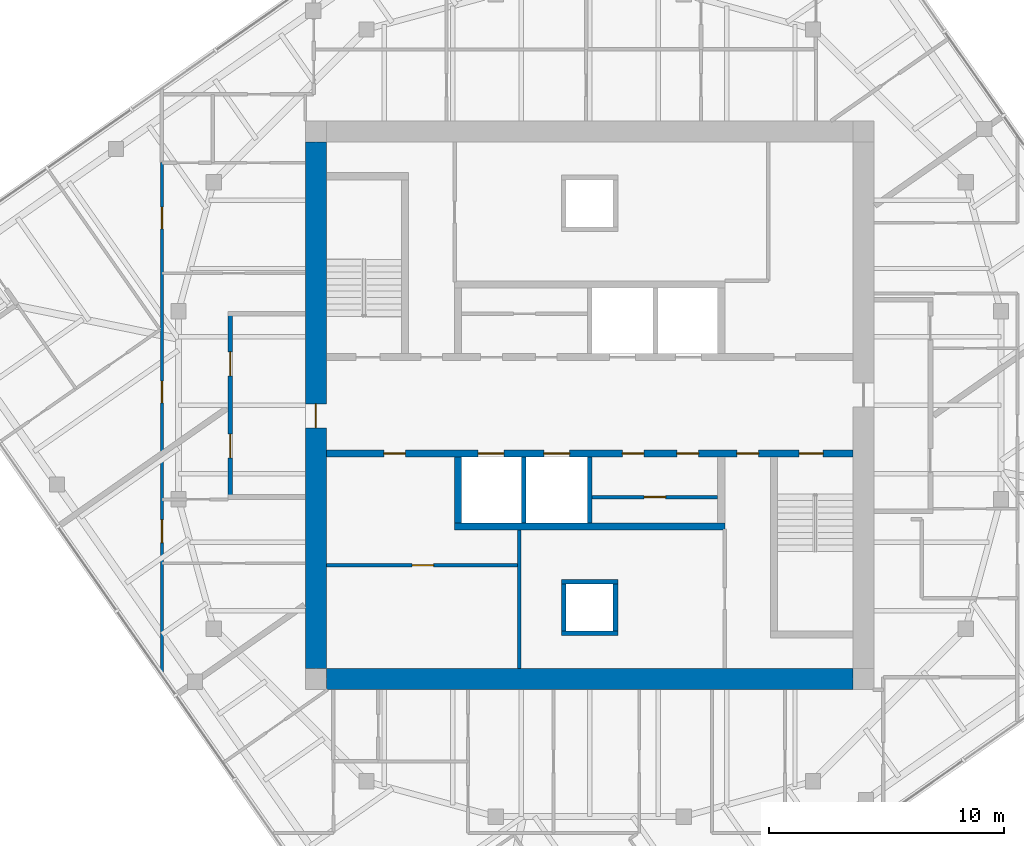
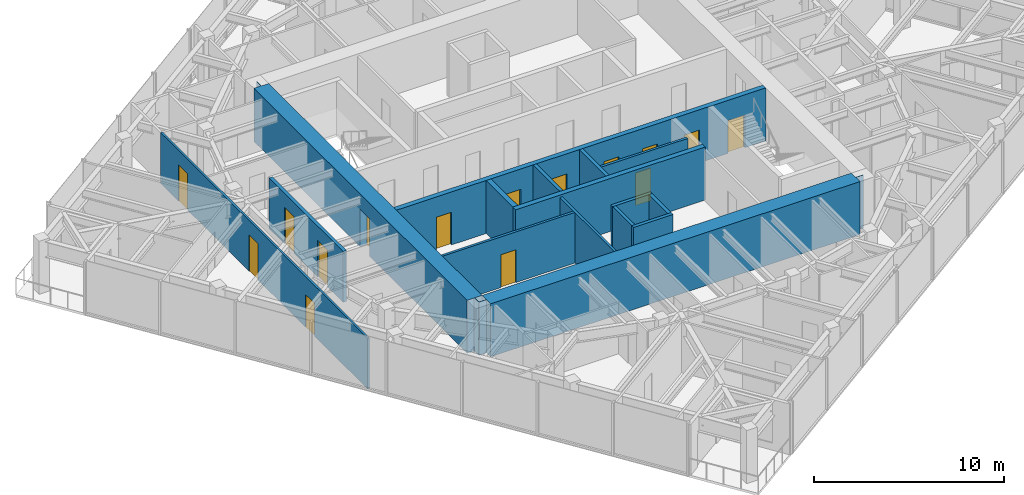
# One storey, part 8 of 13: 16 walls, 15 doors, 15 openings.
"""IFC4 building model written with IfcOpenShell, lengths in metres."""

import ifcopenshell
import ifcopenshell.guid

model = None  # the IFC model being written
_history = None  # IfcOwnerHistory: only IFC2X3 demands one
_inside = {}  # id of a spatial element -> (the spatial element, [elements in it])
_under = {}  # id of a project, library or spatial element -> (it, [spatial elements below it])
_declared = {}  # id of a project -> (the project, [libraries it declares])
_typed = {}  # id of a type object -> (the type object, [elements of that type])
_made_of = {}  # id of a material, layer set ... -> (it, [elements and type objects made of it])


def new_model(schema):
    """Start an empty IFC model of exactly this schema.

    Asked for "IFC4X3", IfcOpenShell would pick the latest addendum, in which some entities
    have other attributes; the version numbers below select the first issue.
    IFC2X3 requires an IfcOwnerHistory on every rooted entity: one is made here for all.
    """
    global model, _history
    if schema == "IFC4X3":
        model = ifcopenshell.file(schema_version=(4, 3, 0, 0))
    else:
        model = ifcopenshell.file(schema=schema)
    _inside.clear()
    _under.clear()
    _declared.clear()
    _typed.clear()
    _made_of.clear()
    _history = None
    if model.schema == "IFC2X3":
        org = make("IfcOrganization", Name="unknown")
        user = make(
            "IfcPersonAndOrganization",
            ThePerson=make("IfcPerson", FamilyName="unknown"),
            TheOrganization=org,
        )
        app = make(
            "IfcApplication",
            ApplicationDeveloper=org,
            Version="unknown",
            ApplicationFullName="unknown",
            ApplicationIdentifier="unknown",
        )
        _history = make(
            "IfcOwnerHistory",
            OwningUser=user,
            OwningApplication=app,
            ChangeAction="ADDED",
            CreationDate=0,
        )
    return model


def make(cls, **values):
    """One entity of the class cls with the attributes given. An attribute that is None is left unset."""
    return model.create_entity(
        cls, **{name: value for name, value in values.items() if value is not None}
    )


def rooted(cls, **values):
    """An entity with a GlobalId (a new one), such as an element, a storey or a relation."""
    return make(cls, GlobalId=ifcopenshell.guid.new(), OwnerHistory=_history, **values)


def si_unit(unit_type, name, prefix=None):
    """IfcSIUnit, for example si_unit("LENGTHUNIT", "METRE", prefix="MILLI")."""
    return make("IfcSIUnit", UnitType=unit_type, Prefix=prefix, Name=name)


def assignment(units):
    """IfcUnitAssignment: the units of a project."""
    return None if units is None else make("IfcUnitAssignment", Units=units)


def point(xyz):
    """IfcCartesianPoint."""
    return None if xyz is None else make("IfcCartesianPoint", Coordinates=xyz)


def direction(xyz):
    """IfcDirection."""
    return None if xyz is None else make("IfcDirection", DirectionRatios=xyz)


def frame(location, z_axis=None, x_axis=None):
    """IfcAxis2Placement3D, a coordinate frame: its origin and axes. An axis left out is left unset."""
    return make(
        "IfcAxis2Placement3D",
        Location=point(location),
        Axis=direction(z_axis),
        RefDirection=direction(x_axis),
    )


def frame_2d(location, x_axis=None):
    """IfcAxis2Placement2D, a coordinate frame in the plane: its origin and x axis."""
    return make(
        "IfcAxis2Placement2D", Location=point(location), RefDirection=direction(x_axis)
    )


def origin():
    """The frame at (0, 0, 0) with its axes left unset."""
    return frame((0.0, 0.0, 0.0))


def place(relative_to, where):
    """IfcLocalPlacement: puts the frame where relative to a parent placement (None: the world)."""
    return make(
        "IfcLocalPlacement", PlacementRelTo=relative_to, RelativePlacement=where
    )


def context(
    kind, dimensions, precision=None, world=None, true_north=None, identifier=None
):
    """IfcGeometricRepresentationContext, for example the 3D "Model" context."""
    return make(
        "IfcGeometricRepresentationContext",
        ContextIdentifier=identifier,
        ContextType=kind,
        CoordinateSpaceDimension=dimensions,
        Precision=precision,
        WorldCoordinateSystem=world,
        TrueNorth=true_north,
    )


def subcontext(parent, identifier, kind, view, scale=None):
    """IfcGeometricRepresentationSubContext, for example "Body" below "Model"."""
    return make(
        "IfcGeometricRepresentationSubContext",
        ContextIdentifier=identifier,
        ContextType=kind,
        ParentContext=parent,
        TargetScale=scale,
        TargetView=view,
    )


def project(units=None, contexts=None):
    """IfcProject with its units and contexts."""
    return rooted(
        "IfcProject",
        Name="project",
        RepresentationContexts=contexts,
        UnitsInContext=assignment(units),
    )


def spatial(cls, under=None, at=None, **own):
    """A site, building, storey or space (cls), placed at a placement, below another one or the project."""
    s = rooted(cls, ObjectPlacement=at, **own)
    if under is not None:
        _under.setdefault(under.id(), (under, []))[1].append(s)
    return s


def polyline(points):
    """IfcPolyline through the points."""
    return make("IfcPolyline", Points=[point(p) for p in points])


def profile(cls, at=None, kind="AREA", **sizes):
    """A parametric profile (cls). Its sizes go by their IFC names, for example OverallWidth=200.0."""
    return make(cls, ProfileType=kind, Position=at, **sizes)


def rectangle(**sizes):
    """IfcRectangleProfileDef."""
    return profile("IfcRectangleProfileDef", **sizes)


def outline(outer, holes=None, kind="AREA"):
    """IfcArbitraryClosedProfileDef: a profile drawn as a closed curve; with holes, ...WithVoids."""
    if holes is None:
        return make("IfcArbitraryClosedProfileDef", ProfileType=kind, OuterCurve=outer)
    return make(
        "IfcArbitraryProfileDefWithVoids",
        ProfileType=kind,
        OuterCurve=outer,
        InnerCurves=holes,
    )


def extrude(swept, where, along, depth):
    """IfcExtrudedAreaSolid: the profile swept, set in the frame where, extruded along a direction by depth."""
    return make(
        "IfcExtrudedAreaSolid",
        SweptArea=swept,
        Position=where,
        ExtrudedDirection=direction(along),
        Depth=depth,
    )


def shape(context_of_items, identifier, shape_type, items):
    """IfcShapeRepresentation: the items that make up one representation, for example the "Body"."""
    return make(
        "IfcShapeRepresentation",
        ContextOfItems=context_of_items,
        RepresentationIdentifier=identifier,
        RepresentationType=shape_type,
        Items=items,
    )


def material(Name=None, Category=None):
    """IfcMaterial."""
    return make("IfcMaterial", Name=Name, Category=Category)


def layer(
    of_material, thickness, ventilated=None, Name=None, Category=None, Priority=None
):
    """IfcMaterialLayer: one layer of a wall or slab, of a material (None: an air gap)."""
    return make(
        "IfcMaterialLayer",
        Material=of_material,
        LayerThickness=thickness,
        IsVentilated=ventilated,
        Name=Name,
        Category=Category,
        Priority=Priority,
    )


def layer_set(layers, Name=None):
    """IfcMaterialLayerSet."""
    return make("IfcMaterialLayerSet", MaterialLayers=layers, LayerSetName=Name)


def made_of(thing, what):
    """Note that an element or type object is made of a material, layer set ...; save() writes the relation."""
    if what is not None:
        _made_of.setdefault(what.id(), (what, []))[1].append(thing)
    return thing


def type_object(cls, material=None, **own):
    """A type object (cls), such as IfcWallType, which elements share."""
    return made_of(rooted(cls, **own), material)


def element(
    cls,
    number,
    at=None,
    inside=None,
    cuts=None,
    type_object=None,
    material=None,
    context=None,
    identifier="Body",
    shape_type=None,
    held_by="IfcProductDefinitionShape",
    body=None,
    shapes=None,
    **own,
):
    """One element of the class cls, such as IfcWall. Its Tag is "e" and its number.

    at: its placement. inside: the storey or other place that contains it. cuts: it is an
    opening in that element (IfcRelVoidsElement). A single representation is given by context,
    identifier, shape_type and body (its items); several are given by shapes. held_by: the class
    of the entity that holds the representations. save() writes the other relations.
    """
    e = rooted(cls, Tag="e%d" % number, ObjectPlacement=at, **own)
    if body is not None:
        shapes = [shape(context, identifier, shape_type, body)]
    if shapes is not None:
        e.Representation = make(held_by, Representations=shapes)
    if inside is not None:
        _inside.setdefault(inside.id(), (inside, []))[1].append(e)
    if cuts is not None:
        rooted(
            "IfcRelVoidsElement", RelatingBuildingElement=cuts, RelatedOpeningElement=e
        )
    if type_object is not None:
        _typed.setdefault(type_object.id(), (type_object, []))[1].append(e)
    return made_of(e, material)


def fill(opening, filler):
    """IfcRelFillsElement: the door or window that sits in an opening."""
    return rooted(
        "IfcRelFillsElement",
        RelatingOpeningElement=opening,
        RelatedBuildingElement=filler,
    )


def aggregate(whole, parts):
    """IfcRelAggregates: a whole, such as a stair, and the parts it consists of."""
    return rooted("IfcRelAggregates", RelatingObject=whole, RelatedObjects=parts)


def save(model, path):
    """Write the relations noted so far, then the file.

    IfcRelAggregates (storeys below a building ...), IfcRelContainedInSpatialStructure (elements
    in a storey), IfcRelDefinesByType, IfcRelAssociatesMaterial and IfcRelDeclares: one each for
    every whole, place, type object, material and project.
    """
    for whole, parts in _under.values():
        aggregate(whole, parts)
    for where, things in _inside.values():
        rooted(
            "IfcRelContainedInSpatialStructure",
            RelatedElements=things,
            RelatingStructure=where,
        )
    for kind, things in _typed.values():
        rooted("IfcRelDefinesByType", RelatedObjects=things, RelatingType=kind)
    for what, things in _made_of.values():
        rooted("IfcRelAssociatesMaterial", RelatedObjects=things, RelatingMaterial=what)
    for by, libraries in _declared.values():
        rooted("IfcRelDeclares", RelatingContext=by, RelatedDefinitions=libraries)
    model.write(path)


model = new_model("IFC4")

# Units and contexts
model_context = context("Model", 3, precision=1e-05, world=origin(), true_north=direction((0.0, 1.0)))
body_context = subcontext(model_context, "Body", "Model", "MODEL_VIEW")
ifc_project = project(units=[si_unit("LENGTHUNIT", "METRE"), si_unit("AREAUNIT", "SQUARE_METRE"), si_unit("VOLUMEUNIT", "CUBIC_METRE"), si_unit("PLANEANGLEUNIT", "RADIAN"), si_unit("MASSUNIT", "GRAM", prefix="KILO")], contexts=[model_context])

# Site, building, storey
site_placement = place(None, origin())
site = spatial("IfcSite", under=ifc_project, at=site_placement, CompositionType="ELEMENT")
building_placement = place(site_placement, origin())
building = spatial("IfcBuilding", under=site, at=building_placement, Name="Torsade Residences", CompositionType="ELEMENT")
storey_placement = place(building_placement, frame((0.0, 0.0, 260.800048828125)))
storey = spatial("IfcBuildingStorey", under=building, at=storey_placement, Name="L72", CompositionType="ELEMENT", Elevation=260.800048828125)

# Wall, openings, doors
ifc_material_1 = material(Name="Concrete 80 MPa", Category="concrete")
ifc_layer_1 = layer(ifc_material_1, 0.300048828125)
ifc_layer_set_1 = layer_set([ifc_layer_1], Name="Concrete 80 MPa")
wall_type_1 = type_object("IfcWallType", Name="CORE INTERNAL WALL 300", PredefinedType="SHEAR", material=ifc_layer_set_1)
wall_1_placement = place(storey_placement, frame((51.199951171875, 27.949951171875, 0.0), z_axis=(0.0, 0.0, 1.0), x_axis=(-1.0, 0.0, 0.0)))
wall_1 = element("IfcWall", 1, at=wall_1_placement, inside=storey, type_object=wall_type_1, Name="Core wall LS L72", PredefinedType="SHEAR", context=body_context, shape_type="SweptSolid", body=[
    extrude(rectangle(XDim=22.39990234375, YDim=0.300048828125, at=frame_2d((11.199951171875, 0.0))), origin(), (0.0, 0.0, 1.0), 3.39990234375),
])
opening_1_placement = place(wall_1_placement, frame((19.0400390625, 0.0, 0.0)))
opening_1 = element("IfcOpeningElement", 2, at=opening_1_placement, cuts=wall_1, Name="Opening D06", PredefinedType="OPENING", context=body_context, shape_type="SweptSolid", body=[
    extrude(rectangle(XDim=0.919921875, YDim=2.10009765625, at=frame_2d((0.4599609375, 1.050048828125))), frame((0.0, 0.159912109375, 0.0), z_axis=(0.0, -1.0, 0.0), x_axis=(1.0, 0.0, 0.0)), (0.0, 0.0, 1.0), 0.320068359375),
])
opening_2_placement = place(wall_1_placement, frame((1.264892578125, 0.0, 0.0)))
opening_2 = element("IfcOpeningElement", 3, at=opening_2_placement, cuts=wall_1, Name="Opening D03", PredefinedType="OPENING", context=body_context, shape_type="SweptSolid", body=[
    extrude(rectangle(XDim=1.02001953125, YDim=2.10009765625, at=frame_2d((0.510009765625, 1.050048828125))), frame((0.0, 0.159912109375, 0.0), z_axis=(0.0, -1.0, 0.0), x_axis=(1.0, 0.0, 0.0)), (0.0, 0.0, 1.0), 0.320068359375),
])
opening_3_placement = place(wall_1_placement, frame((4.014892578125, 0.0, 0.0)))
opening_3 = element("IfcOpeningElement", 4, at=opening_3_placement, cuts=wall_1, Name="Opening D06", PredefinedType="OPENING", context=body_context, shape_type="SweptSolid", body=[
    extrude(rectangle(XDim=0.919921875, YDim=2.10009765625, at=frame_2d((0.4599609375, 1.050048828125))), frame((0.0, 0.159912109375, 0.0), z_axis=(0.0, -1.0, 0.0), x_axis=(1.0, 0.0, 0.0)), (0.0, 0.0, 1.0), 0.320068359375),
])
opening_4_placement = place(wall_1_placement, frame((8.889892578125, 0.0, 0.0)))
opening_4 = element("IfcOpeningElement", 5, at=opening_4_placement, cuts=wall_1, Name="Opening D06", PredefinedType="OPENING", context=body_context, shape_type="SweptSolid", body=[
    extrude(rectangle(XDim=0.919921875, YDim=2.10009765625, at=frame_2d((0.4599609375, 1.050048828125))), frame((0.0, 0.159912109375, 0.0), z_axis=(0.0, -1.0, 0.0), x_axis=(1.0, 0.0, 0.0)), (0.0, 0.0, 1.0), 0.320068359375),
])
opening_5_placement = place(wall_1_placement, frame((6.56494140625, 0.0, 0.0)))
opening_5 = element("IfcOpeningElement", 6, at=opening_5_placement, cuts=wall_1, Name="Opening D06", PredefinedType="OPENING", context=body_context, shape_type="SweptSolid", body=[
    extrude(rectangle(XDim=0.919921875, YDim=2.10009765625, at=frame_2d((0.4599609375, 1.050048828125))), frame((0.0, 0.159912109375, 0.0), z_axis=(0.0, -1.0, 0.0), x_axis=(1.0, 0.0, 0.0)), (0.0, 0.0, 1.0), 0.320068359375),
])
opening_6_placement = place(wall_1_placement, frame((12.050048828125, 0.0, 0.0)))
opening_6 = element("IfcOpeningElement", 7, at=opening_6_placement, cuts=wall_1, Name="Opening LD", PredefinedType="OPENING", context=body_context, shape_type="SweptSolid", body=[
    extrude(rectangle(XDim=1.10009765625, YDim=2.10009765625, at=frame_2d((0.550048828125, 1.050048828125))), frame((0.0, 0.159912109375, 0.0), z_axis=(0.0, -1.0, 0.0), x_axis=(1.0, 0.0, 0.0)), (0.0, 0.0, 1.0), 0.320068359375),
])
opening_7_placement = place(wall_1_placement, frame((14.85009765625, 0.0, 0.0)))
opening_7 = element("IfcOpeningElement", 8, at=opening_7_placement, cuts=wall_1, Name="Opening LD", PredefinedType="OPENING", context=body_context, shape_type="SweptSolid", body=[
    extrude(rectangle(XDim=1.10009765625, YDim=2.10009765625, at=frame_2d((0.550048828125, 1.050048828125))), frame((0.0, 0.159912109375, 0.0), z_axis=(0.0, -1.0, 0.0), x_axis=(1.0, 0.0, 0.0)), (0.0, 0.0, 1.0), 0.320068359375),
])
ifc_material_2 = material(Name="Steel-framed fire door", Category="steel")
door_type_1 = type_object("IfcDoorType", Name="FIRE DOOR 1020", OperationType="NOTDEFINED", PredefinedType="DOOR", material=ifc_material_2)
door_1_placement = place(opening_2_placement, origin())
door_1 = element("IfcDoor", 9, at=door_1_placement, inside=storey, type_object=door_type_1, Name="Exit door to fire-isolated stair ST2 L72", OperationType="SINGLE_SWING_RIGHT", OverallHeight=2.10009765625, OverallWidth=1.02001953125, PredefinedType="DOOR", context=body_context, shape_type="SweptSolid", body=[
    extrude(rectangle(XDim=1.02001953125, YDim=2.10009765625, at=frame_2d((0.510009765625, 1.050048828125))), frame((0.0, 0.02490234375, 0.0), z_axis=(0.0, -1.0, 0.0), x_axis=(1.0, 0.0, 0.0)), (0.0, 0.0, 1.0), 0.050048828125),
])
fill(opening_2, door_1)
ifc_material_3 = material(Name="Steel-framed fire door", Category="steel")
door_type_2 = type_object("IfcDoorType", Name="FIRE DOOR 920", OperationType="NOTDEFINED", PredefinedType="DOOR", material=ifc_material_3)
door_2_placement = place(opening_1_placement, origin())
door_2 = element("IfcDoor", 10, at=door_2_placement, inside=storey, type_object=door_type_2, Name="Door Lift lobby to Cleaner store", OperationType="SINGLE_SWING_LEFT", OverallHeight=2.10009765625, OverallWidth=0.919921875, PredefinedType="DOOR", context=body_context, shape_type="SweptSolid", body=[
    extrude(rectangle(XDim=0.919921875, YDim=2.10009765625, at=frame_2d((0.4599609375, 1.050048828125))), frame((0.0, 0.02490234375, 0.0), z_axis=(0.0, -1.0, 0.0), x_axis=(1.0, 0.0, 0.0)), (0.0, 0.0, 1.0), 0.050048828125),
])
fill(opening_1, door_2)
door_3_placement = place(opening_3_placement, origin())
door_3 = element("IfcDoor", 11, at=door_3_placement, inside=storey, type_object=door_type_2, Name="Door Lift lobby to Communications equipment store", OperationType="SINGLE_SWING_RIGHT", OverallHeight=2.10009765625, OverallWidth=0.919921875, PredefinedType="DOOR", context=body_context, shape_type="SweptSolid", body=[
    extrude(rectangle(XDim=0.919921875, YDim=2.10009765625, at=frame_2d((0.4599609375, 1.050048828125))), frame((0.0, 0.02490234375, 0.0), z_axis=(0.0, -1.0, 0.0), x_axis=(1.0, 0.0, 0.0)), (0.0, 0.0, 1.0), 0.050048828125),
])
fill(opening_3, door_3)
door_4_placement = place(opening_4_placement, origin())
door_4 = element("IfcDoor", 12, at=door_4_placement, inside=storey, type_object=door_type_2, Name="Door Lift lobby to Bulky waste store L72C", OperationType="SINGLE_SWING_LEFT", OverallHeight=2.10009765625, OverallWidth=0.919921875, PredefinedType="DOOR", context=body_context, shape_type="SweptSolid", body=[
    extrude(rectangle(XDim=0.919921875, YDim=2.10009765625, at=frame_2d((0.4599609375, 1.050048828125))), frame((0.0, 0.02490234375, 0.0), z_axis=(0.0, -1.0, 0.0), x_axis=(1.0, 0.0, 0.0)), (0.0, 0.0, 1.0), 0.050048828125),
])
fill(opening_4, door_4)
door_5_placement = place(opening_5_placement, origin())
door_5 = element("IfcDoor", 13, at=door_5_placement, inside=storey, type_object=door_type_2, Name="Door Lift lobby to Bulky waste store L72C", OperationType="SINGLE_SWING_RIGHT", OverallHeight=2.10009765625, OverallWidth=0.919921875, PredefinedType="DOOR", context=body_context, shape_type="SweptSolid", body=[
    extrude(rectangle(XDim=0.919921875, YDim=2.10009765625, at=frame_2d((0.4599609375, 1.050048828125))), frame((0.0, 0.02490234375, 0.0), z_axis=(0.0, -1.0, 0.0), x_axis=(1.0, 0.0, 0.0)), (0.0, 0.0, 1.0), 0.050048828125),
])
fill(opening_5, door_5)
ifc_material_4 = material(Name="Stainless steel lift landing door", Category="steel")
door_type_3 = type_object("IfcDoorType", Name="LIFT LANDING DOOR 1100", OperationType="SLIDING_TO_LEFT", PredefinedType="DOOR", material=ifc_material_4)
door_6_placement = place(opening_6_placement, origin())
door_6 = element("IfcDoor", 14, at=door_6_placement, inside=storey, type_object=door_type_3, Name="Lift LB3 landing door L72", OperationType="SLIDING_TO_LEFT", OverallHeight=2.10009765625, OverallWidth=1.10009765625, PredefinedType="DOOR", context=body_context, shape_type="SweptSolid", body=[
    extrude(rectangle(XDim=1.10009765625, YDim=2.10009765625, at=frame_2d((0.550048828125, 1.050048828125))), frame((0.0, 0.02490234375, 0.0), z_axis=(0.0, -1.0, 0.0), x_axis=(1.0, 0.0, 0.0)), (0.0, 0.0, 1.0), 0.050048828125),
])
fill(opening_6, door_6)
door_7_placement = place(opening_7_placement, origin())
door_7 = element("IfcDoor", 15, at=door_7_placement, inside=storey, type_object=door_type_3, Name="Lift FL2 landing door L72", OperationType="SLIDING_TO_LEFT", OverallHeight=2.10009765625, OverallWidth=1.10009765625, PredefinedType="DOOR", context=body_context, shape_type="SweptSolid", body=[
    extrude(rectangle(XDim=1.10009765625, YDim=2.10009765625, at=frame_2d((0.550048828125, 1.050048828125))), frame((0.0, 0.02490234375, 0.0), z_axis=(0.0, -1.0, 0.0), x_axis=(1.0, 0.0, 0.0)), (0.0, 0.0, 1.0), 0.050048828125),
])
fill(opening_7, door_7)

# Walls
wall_2_placement = place(storey_placement, frame((45.75, 24.85009765625, 0.0), z_axis=(0.0, 0.0, 1.0), x_axis=(-1.0, 0.0, 0.0)))
element("IfcWall", 16, at=wall_2_placement, inside=storey, type_object=wall_type_1, Name="Core wall BS L72", PredefinedType="SHEAR", context=body_context, shape_type="SweptSolid", body=[
    extrude(rectangle(XDim=11.5, YDim=0.300048828125, at=frame_2d((5.75, 0.0))), origin(), (0.0, 0.0, 1.0), 3.39990234375),
])
wall_3_placement = place(storey_placement, frame((34.39990234375, 27.800048828125, 0.0), z_axis=(0.0, 0.0, 1.0), x_axis=(0.0, -1.0, 0.0)))
element("IfcWall", 17, at=wall_3_placement, inside=storey, type_object=wall_type_1, Name="Core wall DS4 L72", PredefinedType="SHEAR", context=body_context, shape_type="SweptSolid", body=[
    extrude(rectangle(XDim=2.800048828125, YDim=0.300048828125, at=frame_2d((1.39990234375, 0.0))), origin(), (0.0, 0.0, 1.0), 3.39990234375),
])
ifc_material_5 = material(Name="Concrete 80 MPa", Category="concrete")
ifc_layer_2 = layer(ifc_material_5, 0.89990234375)
ifc_layer_set_2 = layer_set([ifc_layer_2], Name="Concrete 80 MPa")
wall_type_2 = type_object("IfcWallType", Name="CORE WALL 900", PredefinedType="SHEAR", material=ifc_layer_set_2)
wall_4_placement = place(storey_placement, frame((51.199951171875, 18.35009765625, 0.0), z_axis=(0.0, 0.0, 1.0), x_axis=(-1.0, 0.0, 0.0)))
element("IfcWall", 18, at=wall_4_placement, inside=storey, type_object=wall_type_2, Name="Core wall S L72", PredefinedType="SHEAR", context=body_context, shape_type="SweptSolid", body=[
    extrude(outline(polyline([(0.0, -0.449951171875), (22.39990234375, -0.449951171875), (22.39990234375, -0.02490234375), (22.849853515625, -0.02490234375), (22.849853515625, 0.02490234375), (22.39990234375, 0.02490234375), (22.39990234375, 0.449951171875), (0.0, 0.449951171875), (0.0, 0.02490234375), (-0.449951171875, 0.02490234375), (-0.449951171875, -0.02490234375), (0.0, -0.02490234375), (0.0, -0.449951171875)])), origin(), (0.0, 0.0, 1.0), 3.39990234375),
])

# Wall, opening, door
wall_5_placement = place(storey_placement, frame((28.35009765625, 41.199951171875, 0.0), z_axis=(0.0, 0.0, 1.0), x_axis=(0.0, -1.0, 0.0)))
wall_5 = element("IfcWall", 19, at=wall_5_placement, inside=storey, type_object=wall_type_2, Name="Core wall W L72", PredefinedType="SHEAR", context=body_context, shape_type="SweptSolid", body=[
    extrude(outline(polyline([(0.0, -0.449951171875), (22.39990234375, -0.449951171875), (22.39990234375, -0.02490234375), (22.849853515625, -0.02490234375), (22.849853515625, 0.02490234375), (22.39990234375, 0.02490234375), (22.39990234375, 0.449951171875), (0.0, 0.449951171875), (0.0, 0.02490234375), (-0.449951171875, 0.02490234375), (-0.449951171875, -0.02490234375), (0.0, -0.02490234375), (0.0, -0.449951171875)])), origin(), (0.0, 0.0, 1.0), 3.39990234375),
])
opening_8_placement = place(wall_5_placement, frame((11.139892578125, 0.0, 0.0)))
opening_8 = element("IfcOpeningElement", 20, at=opening_8_placement, cuts=wall_5, Name="Opening D04", PredefinedType="OPENING", context=body_context, shape_type="SweptSolid", body=[
    extrude(rectangle(XDim=1.02001953125, YDim=2.39990234375, at=frame_2d((0.510009765625, 1.199951171875))), frame((0.0, 0.4599609375, 0.0), z_axis=(0.0, -1.0, 0.0), x_axis=(1.0, 0.0, 0.0)), (0.0, 0.0, 1.0), 0.919921875),
])
ifc_material_6 = material(Name="Steel-framed fire door", Category="steel")
door_type_4 = type_object("IfcDoorType", Name="LOBBY SMOKE DOOR 1020x2400", OperationType="NOTDEFINED", PredefinedType="DOOR", material=ifc_material_6)
door_8_placement = place(opening_8_placement, origin())
door_8 = element("IfcDoor", 21, at=door_8_placement, inside=storey, type_object=door_type_4, Name="Lift lobby door W L72", OperationType="SINGLE_SWING_RIGHT", OverallHeight=2.39990234375, OverallWidth=1.02001953125, PredefinedType="DOOR", context=body_context, shape_type="SweptSolid", body=[
    extrude(rectangle(XDim=1.02001953125, YDim=2.39990234375, at=frame_2d((0.510009765625, 1.199951171875))), frame((0.0, 0.02490234375, 0.0), z_axis=(0.0, -1.0, 0.0), x_axis=(1.0, 0.0, 0.0)), (0.0, 0.0, 1.0), 0.050048828125),
])
fill(opening_8, door_8)

# Wall, openings, doors
ifc_material_7 = material(Name="Plasterboard on steel stud", Category="steel")
ifc_layer_3 = layer(ifc_material_7, 0.199951171875)
ifc_layer_set_3 = layer_set([ifc_layer_3], Name="Plasterboard on steel stud")
wall_type_3 = type_object("IfcWallType", Name="CORRIDOR WALL 200", PredefinedType="PARTITIONING", material=ifc_layer_set_3)
wall_6_placement = place(storey_placement, frame((24.699951171875, 26.10009765625, 0.0), z_axis=(0.0, 0.0, 1.0), x_axis=(0.0, 1.0, 0.0)))
wall_6 = element("IfcWall", 22, at=wall_6_placement, inside=storey, type_object=wall_type_3, Name="Corridor wall L72", PredefinedType="PARTITIONING", context=body_context, shape_type="SweptSolid", body=[
    extrude(rectangle(XDim=7.7998046875, YDim=0.199951171875, at=frame_2d((3.89990234375, 0.0))), origin(), (0.0, 0.0, 1.0), 3.25),
])
opening_9_placement = place(wall_6_placement, frame((1.661865234375, 0.0, 0.0)))
opening_9 = element("IfcOpeningElement", 23, at=opening_9_placement, cuts=wall_6, Name="Opening D01", PredefinedType="OPENING", context=body_context, shape_type="SweptSolid", body=[
    extrude(rectangle(XDim=1.02001953125, YDim=2.340087890625, at=frame_2d((0.510009765625, 1.169921875))), frame((0.0, 0.10986328125, 0.0), z_axis=(0.0, -1.0, 0.0), x_axis=(1.0, 0.0, 0.0)), (0.0, 0.0, 1.0), 0.219970703125),
])
opening_10_placement = place(wall_6_placement, frame((5.15673828125, 0.0, 0.0)))
opening_10 = element("IfcOpeningElement", 24, at=opening_10_placement, cuts=wall_6, Name="Opening D01", PredefinedType="OPENING", context=body_context, shape_type="SweptSolid", body=[
    extrude(rectangle(XDim=1.02001953125, YDim=2.340087890625, at=frame_2d((0.510009765625, 1.169921875))), frame((0.0, 0.10986328125, 0.0), z_axis=(0.0, -1.0, 0.0), x_axis=(1.0, 0.0, 0.0)), (0.0, 0.0, 1.0), 0.219970703125),
])
ifc_material_8 = material(Name="Solid-core timber fire door", Category="wood")
door_type_5 = type_object("IfcDoorType", Name="APARTMENT ENTRY DOOR 1020x2340", OperationType="NOTDEFINED", PredefinedType="DOOR", material=ifc_material_8)
door_9_placement = place(opening_9_placement, origin())
door_9 = element("IfcDoor", 25, at=door_9_placement, inside=storey, type_object=door_type_5, Name="Door Residential corridor to Kitchen and dining", OperationType="SINGLE_SWING_RIGHT", OverallHeight=2.340087890625, OverallWidth=1.02001953125, PredefinedType="DOOR", context=body_context, shape_type="SweptSolid", body=[
    extrude(rectangle(XDim=1.02001953125, YDim=2.340087890625, at=frame_2d((0.510009765625, 1.169921875))), frame((0.0, 0.02490234375, 0.0), z_axis=(0.0, -1.0, 0.0), x_axis=(1.0, 0.0, 0.0)), (0.0, 0.0, 1.0), 0.050048828125),
])
fill(opening_9, door_9)
door_10_placement = place(opening_10_placement, origin())
door_10 = element("IfcDoor", 26, at=door_10_placement, inside=storey, type_object=door_type_5, Name="Door Residential corridor to Kitchen and dining", OperationType="SINGLE_SWING_LEFT", OverallHeight=2.340087890625, OverallWidth=1.02001953125, PredefinedType="DOOR", context=body_context, shape_type="SweptSolid", body=[
    extrude(rectangle(XDim=1.02001953125, YDim=2.340087890625, at=frame_2d((0.510009765625, 1.169921875))), frame((0.0, 0.02490234375, 0.0), z_axis=(0.0, -1.0, 0.0), x_axis=(1.0, 0.0, 0.0)), (0.0, 0.0, 1.0), 0.050048828125),
])
fill(opening_10, door_10)

# Walls
ifc_material_9 = material(Name="Reinforced blockwork", Category="masonry")
ifc_layer_4 = layer(ifc_material_9, 0.199951171875)
ifc_layer_set_4 = layer_set([ifc_layer_4], Name="Reinforced blockwork")
wall_type_4 = type_object("IfcWallType", Name="LIFT SHAFT DIVIDING WALL 200", PredefinedType="SOLIDWALL", material=ifc_layer_set_4)
for number, where, z_axis, x_axis, name in (
    (27, (40.0, 27.800048828125, 0.0), (0.0, 0.0, 1.0), (0.0, -1.0, 0.0), "Core wall DS2 L72"),
    (28, (37.199951171875, 27.800048828125, 0.0), (0.0, 0.0, 1.0), (0.0, -1.0, 0.0), "Core wall DS3 L72"),
):
    element("IfcWall", number, at=place(storey_placement, frame(where, z_axis=z_axis, x_axis=x_axis)), inside=storey, type_object=wall_type_4, Name=name, PredefinedType="SOLIDWALL", context=body_context, shape_type="SweptSolid", body=[
        extrude(rectangle(XDim=2.800048828125, YDim=0.199951171875, at=frame_2d((1.39990234375, 0.0))), origin(), (0.0, 0.0, 1.0), 3.39990234375),
    ])

# Wall, openings, doors
ifc_material_10 = material(Name="Plasterboard on steel stud", Category="steel")
ifc_layer_5 = layer(ifc_material_10, 0.1201171875)
ifc_layer_set_5 = layer_set([ifc_layer_5], Name="Plasterboard on steel stud")
wall_type_5 = type_object("IfcWallType", Name="PARTITION 120", PredefinedType="PARTITIONING", material=ifc_layer_set_5)
wall_7_placement = place(storey_placement, frame((21.800048828125, 18.577880859375, 0.0), z_axis=(0.0, 0.0, 1.0), x_axis=(0.0, 1.0, 0.0)))
wall_7 = element("IfcWall", 29, at=wall_7_placement, inside=storey, type_object=wall_type_5, Name="Partition L72", PredefinedType="PARTITIONING", context=body_context, shape_type="SweptSolid", body=[
    extrude(rectangle(XDim=21.750244140625, YDim=0.1201171875, at=frame_2d((10.875, 0.0))), origin(), (0.0, 0.0, 1.0), 3.25),
])
opening_11_placement = place(wall_7_placement, frame((11.529541015625, 0.0, 0.0)))
opening_11 = element("IfcOpeningElement", 30, at=opening_11_placement, cuts=wall_7, Name="Opening D02", PredefinedType="OPENING", context=body_context, shape_type="SweptSolid", body=[
    extrude(rectangle(XDim=0.919921875, YDim=2.340087890625, at=frame_2d((0.4599609375, 1.169921875))), frame((0.0, 0.070068359375, 0.0), z_axis=(0.0, -1.0, 0.0), x_axis=(1.0, 0.0, 0.0)), (0.0, 0.0, 1.0), 0.14013671875),
])
opening_12_placement = place(wall_7_placement, frame((5.5849609375, 0.0, 0.0)))
opening_12 = element("IfcOpeningElement", 31, at=opening_12_placement, cuts=wall_7, Name="Opening D05", PredefinedType="OPENING", context=body_context, shape_type="SweptSolid", body=[
    extrude(rectangle(XDim=0.9599609375, YDim=2.10009765625, at=frame_2d((0.47998046875, 1.050048828125))), frame((0.0, 0.070068359375, 0.0), z_axis=(0.0, -1.0, 0.0), x_axis=(1.0, 0.0, 0.0)), (0.0, 0.0, 1.0), 0.14013671875),
])
opening_13_placement = place(wall_7_placement, frame((18.935791015625, 0.0, 0.0)))
opening_13 = element("IfcOpeningElement", 32, at=opening_13_placement, cuts=wall_7, Name="Opening D02", PredefinedType="OPENING", context=body_context, shape_type="SweptSolid", body=[
    extrude(rectangle(XDim=0.919921875, YDim=2.340087890625, at=frame_2d((0.4599609375, 1.169921875))), frame((0.0, 0.070068359375, 0.0), z_axis=(0.0, -1.0, 0.0), x_axis=(1.0, 0.0, 0.0)), (0.0, 0.0, 1.0), 0.14013671875),
])
ifc_material_11 = material(Name="Hollow-core timber door in a steel cavity frame", Category="steel")
door_type_6 = type_object("IfcDoorType", Name="BATHROOM CAVITY SLIDING DOOR 960", OperationType="SLIDING_TO_LEFT", PredefinedType="DOOR", material=ifc_material_11)
door_11_placement = place(opening_12_placement, origin())
door_11 = element("IfcDoor", 33, at=door_11_placement, inside=storey, type_object=door_type_6, Name="Door Bathroom to Studio living and sleeping", OperationType="SLIDING_TO_LEFT", OverallHeight=2.10009765625, OverallWidth=0.9599609375, PredefinedType="DOOR", context=body_context, shape_type="SweptSolid", body=[
    extrude(rectangle(XDim=0.9599609375, YDim=2.10009765625, at=frame_2d((0.47998046875, 1.050048828125))), frame((0.0, 0.02490234375, 0.0), z_axis=(0.0, -1.0, 0.0), x_axis=(1.0, 0.0, 0.0)), (0.0, 0.0, 1.0), 0.050048828125),
])
fill(opening_12, door_11)
ifc_material_12 = material(Name="Hollow-core timber door", Category="wood")
door_type_7 = type_object("IfcDoorType", Name="INTERNAL DOOR 920x2340", OperationType="NOTDEFINED", PredefinedType="DOOR", material=ifc_material_12)
door_12_placement = place(opening_11_placement, origin())
door_12 = element("IfcDoor", 34, at=door_12_placement, inside=storey, type_object=door_type_7, Name="Door Kitchen and dining to Bedroom 2", OperationType="SINGLE_SWING_RIGHT", OverallHeight=2.340087890625, OverallWidth=0.919921875, PredefinedType="DOOR", context=body_context, shape_type="SweptSolid", body=[
    extrude(rectangle(XDim=0.919921875, YDim=2.340087890625, at=frame_2d((0.4599609375, 1.169921875))), frame((0.0, 0.02490234375, 0.0), z_axis=(0.0, -1.0, 0.0), x_axis=(1.0, 0.0, 0.0)), (0.0, 0.0, 1.0), 0.050048828125),
])
fill(opening_11, door_12)
door_13_placement = place(opening_13_placement, origin())
door_13 = element("IfcDoor", 35, at=door_13_placement, inside=storey, type_object=door_type_7, Name="Door Scullery to Bedroom 4", OperationType="SINGLE_SWING_LEFT", OverallHeight=2.340087890625, OverallWidth=0.919921875, PredefinedType="DOOR", context=body_context, shape_type="SweptSolid", body=[
    extrude(rectangle(XDim=0.919921875, YDim=2.340087890625, at=frame_2d((0.4599609375, 1.169921875))), frame((0.0, 0.02490234375, 0.0), z_axis=(0.0, -1.0, 0.0), x_axis=(1.0, 0.0, 0.0)), (0.0, 0.0, 1.0), 0.050048828125),
])
fill(opening_13, door_13)

# Walls
ifc_material_13 = material(Name="Reinforced blockwork", Category="masonry")
ifc_layer_6 = layer(ifc_material_13, 0.199951171875)
ifc_layer_set_6 = layer_set([ifc_layer_6], Name="Reinforced blockwork")
wall_type_6 = type_object("IfcWallType", Name="RISER SHAFT WALL 200", PredefinedType="SOLIDWALL", material=ifc_layer_set_6)
for number, where, z_axis, x_axis, name in (
    (36, (38.89990234375, 22.39990234375, 0.0), (0.0, 0.0, 1.0), (0.0, -1.0, 0.0), "Core wall RS2a L72"),
    (37, (41.10009765625, 22.39990234375, 0.0), (0.0, 0.0, 1.0), (0.0, -1.0, 0.0), "Core wall RS2b L72"),
):
    element("IfcWall", number, at=place(storey_placement, frame(where, z_axis=z_axis, x_axis=x_axis)), inside=storey, type_object=wall_type_6, Name=name, PredefinedType="SOLIDWALL", context=body_context, shape_type="SweptSolid", body=[
        extrude(rectangle(XDim=2.0, YDim=0.199951171875, at=frame_2d((1.0, 0.0))), origin(), (0.0, 0.0, 1.0), 3.39990234375),
    ])
for number, where, z_axis, x_axis, name in (
    (38, (38.800048828125, 22.5, 0.0), (0.0, 0.0, 1.0), (1.0, 0.0, 0.0), "Core wall RS2c L72"),
    (39, (38.800048828125, 20.300048828125, 0.0), (0.0, 0.0, 1.0), (1.0, 0.0, 0.0), "Core wall RS2d L72"),
):
    element("IfcWall", number, at=place(storey_placement, frame(where, z_axis=z_axis, x_axis=x_axis)), inside=storey, type_object=wall_type_6, Name=name, PredefinedType="SOLIDWALL", context=body_context, shape_type="SweptSolid", body=[
        extrude(rectangle(XDim=2.39990234375, YDim=0.199951171875, at=frame_2d((1.199951171875, 0.0))), origin(), (0.0, 0.0, 1.0), 3.39990234375),
    ])
ifc_material_14 = material(Name="Reinforced blockwork", Category="masonry")
ifc_layer_7 = layer(ifc_material_14, 0.14990234375)
ifc_layer_set_7 = layer_set([ifc_layer_7], Name="Reinforced blockwork")
wall_type_7 = type_object("IfcWallType", Name="SERVICE ROOM WALL 150", PredefinedType="SOLIDWALL", material=ifc_layer_set_7)
wall_8_placement = place(storey_placement, frame((37.0, 18.800048828125, 0.0), z_axis=(0.0, 0.0, 1.0), x_axis=(0.0, 1.0, 0.0)))
element("IfcWall", 40, at=wall_8_placement, inside=storey, type_object=wall_type_7, Name="Service room wall L72", PredefinedType="SOLIDWALL", context=body_context, shape_type="SweptSolid", body=[
    extrude(rectangle(XDim=5.89990234375, YDim=0.14990234375, at=frame_2d((2.949951171875, 0.0))), origin(), (0.0, 0.0, 1.0), 3.25),
])

# Wall, opening, door
wall_9_placement = place(storey_placement, frame((37.0, 23.199951171875, 0.0), z_axis=(0.0, 0.0, 1.0), x_axis=(-1.0, 0.0, 0.0)))
wall_9 = element("IfcWall", 41, at=wall_9_placement, inside=storey, type_object=wall_type_7, Name="Service room wall L72", PredefinedType="SOLIDWALL", context=body_context, shape_type="SweptSolid", body=[
    extrude(rectangle(XDim=8.199951171875, YDim=0.14990234375, at=frame_2d((4.10009765625, 0.0))), origin(), (0.0, 0.0, 1.0), 3.25),
])
opening_14_placement = place(wall_9_placement, frame((3.639892578125, 0.0, 0.0)))
opening_14 = element("IfcOpeningElement", 42, at=opening_14_placement, cuts=wall_9, Name="Opening D06", PredefinedType="OPENING", context=body_context, shape_type="SweptSolid", body=[
    extrude(rectangle(XDim=0.919921875, YDim=2.10009765625, at=frame_2d((0.4599609375, 1.050048828125))), frame((0.0, 0.0849609375, 0.0), z_axis=(0.0, -1.0, 0.0), x_axis=(1.0, 0.0, 0.0)), (0.0, 0.0, 1.0), 0.169921875),
])
door_14_placement = place(opening_14_placement, origin())
door_14 = element("IfcDoor", 43, at=door_14_placement, inside=storey, type_object=door_type_2, Name="Door Cleaner store to Hose reel and hydrant store", OperationType="SINGLE_SWING_LEFT", OverallHeight=2.10009765625, OverallWidth=0.919921875, PredefinedType="DOOR", context=body_context, shape_type="SweptSolid", body=[
    extrude(rectangle(XDim=0.919921875, YDim=2.10009765625, at=frame_2d((0.4599609375, 1.050048828125))), frame((0.0, 0.02490234375, 0.0), z_axis=(0.0, -1.0, 0.0), x_axis=(1.0, 0.0, 0.0)), (0.0, 0.0, 1.0), 0.050048828125),
])
fill(opening_14, door_14)

wall_10_placement = place(storey_placement, frame((40.10009765625, 26.10009765625, 0.0), z_axis=(0.0, 0.0, 1.0), x_axis=(1.0, 0.0, 0.0)))
wall_10 = element("IfcWall", 44, at=wall_10_placement, inside=storey, type_object=wall_type_7, Name="Service room wall L72", PredefinedType="SOLIDWALL", context=body_context, shape_type="SweptSolid", body=[
    extrude(rectangle(XDim=5.349853515625, YDim=0.14990234375, at=frame_2d((2.6748046875, 0.0))), origin(), (0.0, 0.0, 1.0), 3.25),
])
opening_15_placement = place(wall_10_placement, frame((2.215087890625, 0.0, 0.0)))
opening_15 = element("IfcOpeningElement", 45, at=opening_15_placement, cuts=wall_10, Name="Opening D06", PredefinedType="OPENING", context=body_context, shape_type="SweptSolid", body=[
    extrude(rectangle(XDim=0.919921875, YDim=2.10009765625, at=frame_2d((0.4599609375, 1.050048828125))), frame((0.0, 0.0849609375, 0.0), z_axis=(0.0, -1.0, 0.0), x_axis=(1.0, 0.0, 0.0)), (0.0, 0.0, 1.0), 0.169921875),
])
door_15_placement = place(opening_15_placement, origin())
door_15 = element("IfcDoor", 46, at=door_15_placement, inside=storey, type_object=door_type_2, Name="Door Bulky waste store L72C to Equipment store L72D", OperationType="SINGLE_SWING_LEFT", OverallHeight=2.10009765625, OverallWidth=0.919921875, PredefinedType="DOOR", context=body_context, shape_type="SweptSolid", body=[
    extrude(rectangle(XDim=0.919921875, YDim=2.10009765625, at=frame_2d((0.4599609375, 1.050048828125))), frame((0.0, 0.02490234375, 0.0), z_axis=(0.0, -1.0, 0.0), x_axis=(1.0, 0.0, 0.0)), (0.0, 0.0, 1.0), 0.050048828125),
])
fill(opening_15, door_15)

save(model, "model.ifc")
